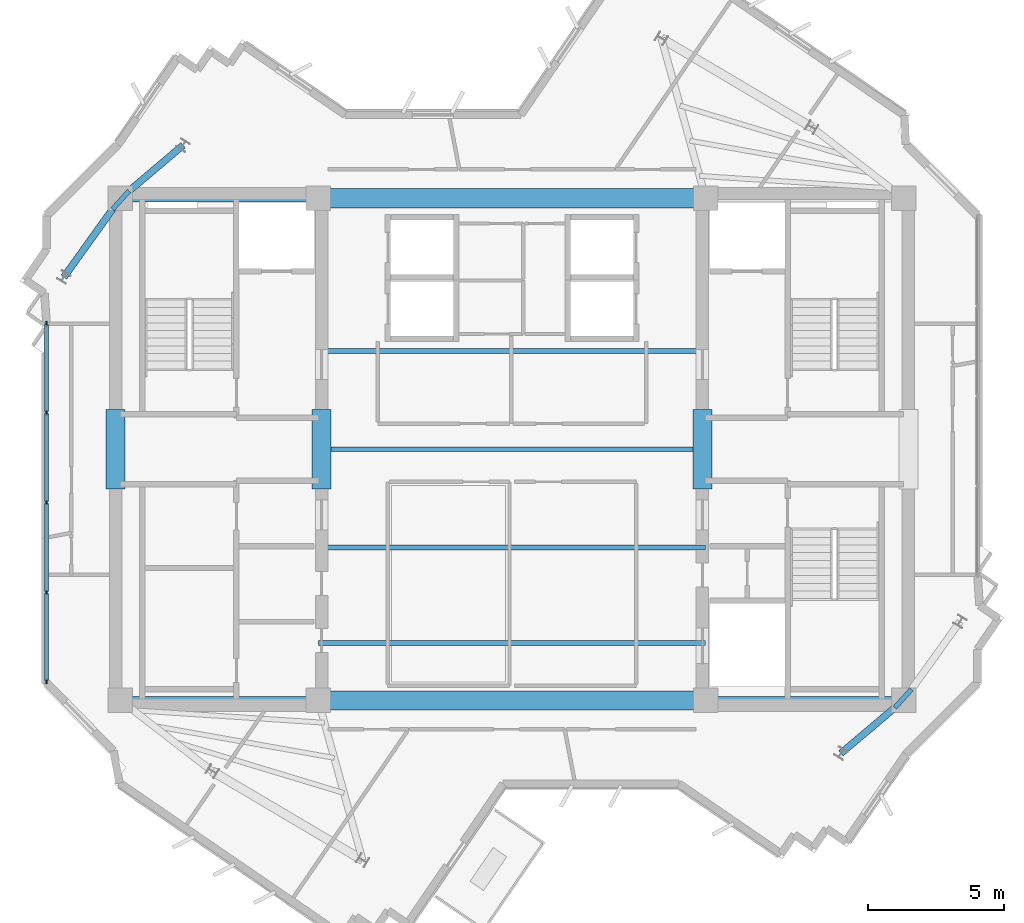
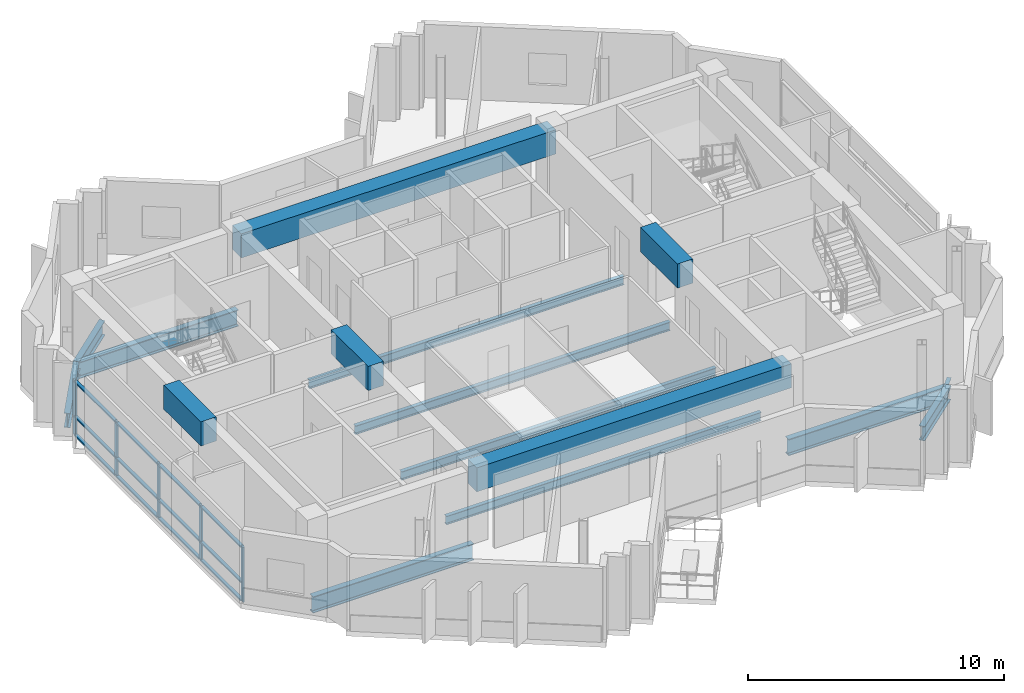
# One storey, part 2 of 11: 17 beams, 17 members, 1 element without a shape of its own.
"""IFC4 building model written with IfcOpenShell, lengths in metres."""

from ifc_helpers import new_model, si_unit, direction, frame, origin, origin_2d, place, context, subcontext, project, spatial, rectangle, i_section, extrude, source, transform, mapped, material, layer, layer_set, material_profile, profile_set, type_object, element, aggregate, save


model = new_model("IFC4")

# Units and contexts
model_context = context("Model", 3, precision=1e-05, world=origin(), true_north=direction((0.0, 1.0)))
body_context = subcontext(model_context, "Body", "Model", "MODEL_VIEW")
ifc_project = project(units=[si_unit("LENGTHUNIT", "METRE"), si_unit("AREAUNIT", "SQUARE_METRE"), si_unit("VOLUMEUNIT", "CUBIC_METRE"), si_unit("PLANEANGLEUNIT", "RADIAN"), si_unit("MASSUNIT", "GRAM", prefix="KILO")], contexts=[model_context])

# Site, building, storey
site_placement = place(None, origin())
site = spatial("IfcSite", under=ifc_project, at=site_placement, CompositionType="ELEMENT")
building_placement = place(site_placement, origin())
building = spatial("IfcBuilding", under=site, at=building_placement, Name="Zahravan Cultural Tower", CompositionType="ELEMENT")
storey_placement = place(building_placement, frame((0.0, 0.0, 331.050048828125)))
storey = spatial("IfcBuildingStorey", under=building, at=storey_placement, Name="L80", CompositionType="ELEMENT", Elevation=331.050048828125)

# Beams
ifc_material_1 = material(Name="Concrete C50/60", Category="concrete")
ifc_material_profile_1 = material_profile(ifc_material_1, rectangle(XDim=0.699951171875, YDim=1.14990234375, at=origin_2d()), Name="RC700X1150")
ifc_profile_set_1 = profile_set([ifc_material_profile_1], Name="Concrete C50/60")
beam_type_1 = type_object("IfcBeamType", Name="BM-LN-RC700X1150", PredefinedType="LINTEL", material=ifc_profile_set_1)
shared_shape_1 = source(origin(), body_context, "Body", "SweptSolid", [
    extrude(rectangle(XDim=0.699951171875, YDim=1.14990234375, at=origin_2d()), origin(), (0.0, 0.0, 1.0), 14.2001953125),
])
for number, where, z_axis, x_axis, name in (
    (1, (28.89990234375, 17.800048828125, 2.925048828125), (1.0, 0.0, 0.0), (0.0, 1.0, 0.0), "L80 Beam LN-L80-S"),
    (2, (28.89990234375, 36.199951171875, 2.925048828125), (1.0, 0.0, 0.0), (0.0, 1.0, 0.0), "L80 Beam LN-L80-N"),
):
    element("IfcBeam", number, at=place(storey_placement, frame(where, z_axis=z_axis, x_axis=x_axis)), inside=storey, type_object=beam_type_1, Name=name, PredefinedType="LINTEL", context=body_context, shape_type="MappedRepresentation", body=[
        mapped(shared_shape_1, transform((0.0, 0.0, 0.0), x_axis=(1.0, 0.0, 0.0), y_axis=(0.0, 1.0, 0.0), z_axis=(0.0, 0.0, 1.0), scale=1.0)),
    ])
shared_shape_2 = source(origin(), body_context, "Body", "SweptSolid", [
    extrude(rectangle(XDim=0.699951171875, YDim=1.14990234375, at=origin_2d()), origin(), (0.0, 0.0, 1.0), 2.89990234375),
])
for number, where, z_axis, x_axis, name in (
    (3, (21.47509765625, 25.550048828125, 2.925048828125), (0.0, 1.0, 0.0), (-1.0, 0.0, 0.0), "L80 Beam LN-L80-PWW"),
    (4, (29.02490234375, 25.550048828125, 2.925048828125), (0.0, 1.0, 0.0), (-1.0, 0.0, 0.0), "L80 Beam LN-L80-PWE"),
    (5, (42.97509765625, 25.550048828125, 2.925048828125), (0.0, 1.0, 0.0), (-1.0, 0.0, 0.0), "L80 Beam LN-L80-PEW"),
):
    element("IfcBeam", number, at=place(storey_placement, frame(where, z_axis=z_axis, x_axis=x_axis)), inside=storey, type_object=beam_type_1, Name=name, PredefinedType="LINTEL", context=body_context, shape_type="MappedRepresentation", body=[
        mapped(shared_shape_2, transform((0.0, 0.0, 0.0), x_axis=(1.0, 0.0, 0.0), y_axis=(0.0, 1.0, 0.0), z_axis=(0.0, 0.0, 1.0), scale=1.0)),
    ])
ifc_material_2 = material(Name="Steel ASTM A992 Grade 50", Category="steel")
ifc_material_profile_2 = material_profile(ifc_material_2, i_section(OverallWidth=0.26611328125, OverallDepth=0.780029296875, WebThickness=0.0166015625, FlangeThickness=0.030029296875, FilletRadius=0.01904296875, at=origin_2d()), Name="W30X148")
ifc_profile_set_2 = profile_set([ifc_material_profile_2], Name="Steel ASTM A992 Grade 50")
beam_type_2 = type_object("IfcBeamType", Name="BM-G-W30X148", PredefinedType="BEAM", material=ifc_profile_set_2)
shared_shape_3 = source(origin(), body_context, "Body", "SweptSolid", [
    extrude(i_section(OverallWidth=0.26611328125, OverallDepth=0.780029296875, WebThickness=0.0166015625, FlangeThickness=0.030029296875, FilletRadius=0.01904296875, at=origin_2d()), origin(), (0.0, 0.0, 1.0), 7.25),
])
for number, where, z_axis, x_axis, name in (
    (6, (21.64990234375, 17.800048828125, -0.64013671875), (1.0, 0.0, 0.0), (0.0, 1.0, 0.0), "L80 Beam BG-L80-01"),
    (7, (21.64990234375, 36.199951171875, -0.64013671875), (1.0, 0.0, 0.0), (0.0, 1.0, 0.0), "L80 Beam BG-L80-02"),
    (8, (43.10009765625, 17.800048828125, -0.64013671875), (1.0, 0.0, 0.0), (0.0, 1.0, 0.0), "L80 Beam BG-L80-04"),
):
    element("IfcBeam", number, at=place(storey_placement, frame(where, z_axis=z_axis, x_axis=x_axis)), inside=storey, type_object=beam_type_2, Name=name, PredefinedType="BEAM", context=body_context, shape_type="MappedRepresentation", body=[
        mapped(shared_shape_3, transform((0.0, 0.0, 0.0), x_axis=(1.0, 0.0, 0.0), y_axis=(0.0, 1.0, 0.0), z_axis=(0.0, 0.0, 1.0), scale=1.0)),
    ])
ifc_material_profile_3 = material_profile(ifc_material_2, i_section(OverallWidth=0.177978515625, OverallDepth=0.406005859375, WebThickness=0.0078125, FlangeThickness=0.0126953125, FilletRadius=0.011962890625, at=origin_2d()), Name="W16X40")
ifc_profile_set_3 = profile_set([ifc_material_profile_3], Name="Steel ASTM A992 Grade 50")
beam_type_3 = type_object("IfcBeamType", Name="BM-J-W16X40", PredefinedType="JOIST", material=ifc_profile_set_3)
shared_shape_4 = source(origin(), body_context, "Body", "SweptSolid", [
    extrude(i_section(OverallWidth=0.177978515625, OverallDepth=0.406005859375, WebThickness=0.0078125, FlangeThickness=0.0126953125, FilletRadius=0.011962890625, at=origin_2d()), origin(), (0.0, 0.0, 1.0), 14.2001953125),
])
for number, where, z_axis, x_axis, name in (
    (9, (28.89990234375, 19.89990234375, -0.453125), (1.0, 0.0, 0.0), (0.0, 1.0, 0.0), "L80 Beam BJ-L80-20"),
    (10, (28.89990234375, 23.39990234375, -0.453125), (1.0, 0.0, 0.0), (0.0, 1.0, 0.0), "L80 Beam BJ-L80-21"),
    (11, (28.89990234375, 27.0, -0.453125), (1.0, 0.0, 0.0), (0.0, 1.0, 0.0), "L80 Beam BJ-L80-22"),
    (12, (28.89990234375, 30.60009765625, -0.453125), (1.0, 0.0, 0.0), (0.0, 1.0, 0.0), "L80 Beam BJ-L80-23"),
):
    element("IfcBeam", number, at=place(storey_placement, frame(where, z_axis=z_axis, x_axis=x_axis)), inside=storey, type_object=beam_type_3, Name=name, PredefinedType="JOIST", context=body_context, shape_type="MappedRepresentation", body=[
        mapped(shared_shape_4, transform((0.0, 0.0, 0.0), x_axis=(1.0, 0.0, 0.0), y_axis=(0.0, 1.0, 0.0), z_axis=(0.0, 0.0, 1.0), scale=1.0)),
    ])
shared_shape_5 = source(origin(), body_context, "Body", "SweptSolid", [
    extrude(i_section(OverallWidth=0.177978515625, OverallDepth=0.406005859375, WebThickness=0.0078125, FlangeThickness=0.0126953125, FilletRadius=0.011962890625, at=origin_2d()), origin(), (0.0, 0.0, 1.0), 0.91162109375),
])
for number, where, z_axis, x_axis, name in (
    (13, (50.02880859375, 17.5283203125, -0.453125), (0.670590689022, 0.741827559341, 0.0), (-0.741827559341, 0.670590689022, 0.0), "L80 Beam BJ-L80-32"),
    (14, (21.97119140625, 36.4716796875, -0.453125), (-0.670590689022, -0.741827559341, 0.0), (0.741827559341, -0.670590689022, 0.0), "L80 Beam BJ-L80-48"),
):
    element("IfcBeam", number, at=place(storey_placement, frame(where, z_axis=z_axis, x_axis=x_axis)), inside=storey, type_object=beam_type_3, Name=name, PredefinedType="JOIST", context=body_context, shape_type="MappedRepresentation", body=[
        mapped(shared_shape_5, transform((0.0, 0.0, 0.0), x_axis=(1.0, 0.0, 0.0), y_axis=(0.0, 1.0, 0.0), z_axis=(0.0, 0.0, 1.0), scale=1.0)),
    ])
ifc_material_profile_4 = material_profile(ifc_material_2, i_section(OverallWidth=0.25390625, OverallDepth=0.68798828125, WebThickness=0.01318359375, FlangeThickness=0.02099609375, FilletRadius=0.01806640625, at=origin_2d()), Name="W27X102")
ifc_profile_set_4 = profile_set([ifc_material_profile_4], Name="Steel ASTM A992 Grade 50")
beam_type_4 = type_object("IfcBeamType", Name="BM-G-W27X102", PredefinedType="BEAM", material=ifc_profile_set_4)
shared_shape_6 = source(origin(), body_context, "Body", "SweptSolid", [
    extrude(i_section(OverallWidth=0.25390625, OverallDepth=0.68798828125, WebThickness=0.01318359375, FlangeThickness=0.02099609375, FilletRadius=0.01806640625, at=origin_2d()), origin(), (0.0, 0.0, 1.0), 3.00537109375),
])
for number, where, z_axis, x_axis, name in (
    (15, (50.35009765625, 17.800048828125, -0.593994140625), (-0.763546494847, -0.645752855361, 0.0), (0.645752855361, -0.763546494847, 0.0), "L80 Beam BG-L80-09"),
    (16, (21.64990234375, 36.199951171875, -0.593994140625), (0.763546494847, 0.645752855361, 0.0), (-0.645752855361, 0.763546494847, 0.0), "L80 Beam BG-L80-13"),
):
    element("IfcBeam", number, at=place(storey_placement, frame(where, z_axis=z_axis, x_axis=x_axis)), inside=storey, type_object=beam_type_4, Name=name, PredefinedType="BEAM", context=body_context, shape_type="MappedRepresentation", body=[
        mapped(shared_shape_6, transform((0.0, 0.0, 0.0), x_axis=(1.0, 0.0, 0.0), y_axis=(0.0, 1.0, 0.0), z_axis=(0.0, 0.0, 1.0), scale=1.0)),
    ])
shared_shape_7 = source(origin(), body_context, "Body", "SweptSolid", [
    extrude(i_section(OverallWidth=0.25390625, OverallDepth=0.68798828125, WebThickness=0.01318359375, FlangeThickness=0.02099609375, FilletRadius=0.01806640625, at=origin_2d()), origin(), (0.0, 0.0, 1.0), 3.5556640625),
])
beam_placement = place(storey_placement, frame((21.64990234375, 36.199951171875, -0.593994140625), z_axis=(-0.58288028137, -0.812558045674, 0.0), x_axis=(0.812558045674, -0.58288028137, 0.0)))
element("IfcBeam", 17, at=beam_placement, inside=storey, type_object=beam_type_4, Name="L80 Beam BG-L80-14", PredefinedType="BEAM", context=body_context, shape_type="MappedRepresentation", body=[
    mapped(shared_shape_7, transform((0.0, 0.0, 0.0), x_axis=(1.0, 0.0, 0.0), y_axis=(0.0, 1.0, 0.0), z_axis=(0.0, 0.0, 1.0), scale=1.0)),
])

# Curtain wall, members
ifc_material_3 = material(Name="Anodised bronze-aluminium mullion", Category="aluminium")
ifc_layer = layer(ifc_material_3, 0.179931640625)
ifc_layer_set = layer_set([ifc_layer], Name="Anodised bronze-aluminium mullion")
curtain_wall_type = type_object("IfcCurtainWallType", Name="CW-SYS-3", PredefinedType="USERDEFINED", material=ifc_layer_set)
curtain_wall_placement = place(storey_placement, origin())
curtain_wall = element("IfcCurtainWall", 18, at=curtain_wall_placement, inside=storey, type_object=curtain_wall_type, Name="L80 Recessed Curtain Wall CW-3.1", ObjectType="RECESSED GLAZING", PredefinedType="USERDEFINED")
ifc_material_profile_5 = material_profile(ifc_material_3, rectangle(XDim=0.070068359375, YDim=0.179931640625, at=origin_2d()), Name="AL-M70X180")
ifc_profile_set_5 = profile_set([ifc_material_profile_5], Name="Anodised bronze-aluminium mullion")
member_type_1 = type_object("IfcMemberType", Name="CWM-CW-3", PredefinedType="MULLION", material=ifc_profile_set_5)
shared_shape_8 = source(origin(), body_context, "Body", "SweptSolid", [
    extrude(rectangle(XDim=0.070068359375, YDim=0.179931640625, at=origin_2d()), origin(), (0.0, 0.0, 1.0), 2.619873046875),
])
member_1_placement = place(storey_placement, frame((18.93994140625, 18.492919921875, 0.0), z_axis=(0.0, 0.0, 1.0), x_axis=(-1.0, 0.0, 0.0)))
member_1 = element("IfcMember", 19, at=member_1_placement, type_object=member_type_1, Name="CW-3 mullion 1", PredefinedType="MULLION", context=body_context, shape_type="MappedRepresentation", body=[
    mapped(shared_shape_8, transform((0.0, 0.0, 0.0), x_axis=(1.0, 0.0, 0.0), y_axis=(0.0, 1.0, 0.0), z_axis=(0.0, 0.0, 1.0), scale=1.0)),
])
member_2_placement = place(storey_placement, frame((18.93994140625, 21.75341796875, 0.0), z_axis=(0.0, 0.0, 1.0), x_axis=(-1.0, 0.0, 0.0)))
member_2 = element("IfcMember", 20, at=member_2_placement, type_object=member_type_1, Name="CW-3 mullion 2", PredefinedType="MULLION", context=body_context, shape_type="MappedRepresentation", body=[
    mapped(shared_shape_8, transform((0.0, 0.0, 0.0), x_axis=(1.0, 0.0, 0.0), y_axis=(0.0, 1.0, 0.0), z_axis=(0.0, 0.0, 1.0), scale=1.0)),
])
member_3_placement = place(storey_placement, frame((18.93994140625, 25.048828125, 0.0), z_axis=(0.0, 0.0, 1.0), x_axis=(-1.0, 0.0, 0.0)))
member_3 = element("IfcMember", 21, at=member_3_placement, type_object=member_type_1, Name="CW-3 mullion 3", PredefinedType="MULLION", context=body_context, shape_type="MappedRepresentation", body=[
    mapped(shared_shape_8, transform((0.0, 0.0, 0.0), x_axis=(1.0, 0.0, 0.0), y_axis=(0.0, 1.0, 0.0), z_axis=(0.0, 0.0, 1.0), scale=1.0)),
])
member_4_placement = place(storey_placement, frame((18.93994140625, 28.34423828125, 0.0), z_axis=(0.0, 0.0, 1.0), x_axis=(-1.0, 0.0, 0.0)))
member_4 = element("IfcMember", 22, at=member_4_placement, type_object=member_type_1, Name="CW-3 mullion 4", PredefinedType="MULLION", context=body_context, shape_type="MappedRepresentation", body=[
    mapped(shared_shape_8, transform((0.0, 0.0, 0.0), x_axis=(1.0, 0.0, 0.0), y_axis=(0.0, 1.0, 0.0), z_axis=(0.0, 0.0, 1.0), scale=1.0)),
])
member_5_placement = place(storey_placement, frame((18.93994140625, 31.604736328125, 0.0), z_axis=(0.0, 0.0, 1.0), x_axis=(-1.0, 0.0, 0.0)))
member_5 = element("IfcMember", 23, at=member_5_placement, type_object=member_type_1, Name="CW-3 mullion 5", PredefinedType="MULLION", context=body_context, shape_type="MappedRepresentation", body=[
    mapped(shared_shape_8, transform((0.0, 0.0, 0.0), x_axis=(1.0, 0.0, 0.0), y_axis=(0.0, 1.0, 0.0), z_axis=(0.0, 0.0, 1.0), scale=1.0)),
])
ifc_material_profile_6 = material_profile(ifc_material_3, rectangle(XDim=0.139892578125, YDim=0.070068359375, at=origin_2d()), Name="AL-T70X140")
ifc_profile_set_6 = profile_set([ifc_material_profile_6], Name="Anodised bronze-aluminium mullion")
member_type_2 = type_object("IfcMemberType", Name="CWT-CW-3", PredefinedType="USERDEFINED", material=ifc_profile_set_6)
shared_shape_9 = source(origin(), body_context, "Body", "SweptSolid", [
    extrude(rectangle(XDim=0.139892578125, YDim=0.070068359375, at=origin_2d()), origin(), (0.0, 0.0, 1.0), 3.1904296875),
])
member_6_placement = place(storey_placement, frame((18.93994140625, 18.528076171875, 0.034912109375), z_axis=(0.0, 1.0, 0.0), x_axis=(-1.0, 0.0, 0.0)))
member_6 = element("IfcMember", 24, at=member_6_placement, type_object=member_type_2, Name="CW-3 transom 1.1", ObjectType="TRANSOM", PredefinedType="USERDEFINED", context=body_context, shape_type="MappedRepresentation", body=[
    mapped(shared_shape_9, transform((0.0, 0.0, 0.0), x_axis=(1.0, 0.0, 0.0), y_axis=(0.0, 1.0, 0.0), z_axis=(0.0, 0.0, 1.0), scale=1.0)),
])
member_7_placement = place(storey_placement, frame((18.93994140625, 18.528076171875, 0.89990234375), z_axis=(0.0, 1.0, 0.0), x_axis=(-1.0, 0.0, 0.0)))
member_7 = element("IfcMember", 25, at=member_7_placement, type_object=member_type_2, Name="CW-3 transom 1.2", ObjectType="TRANSOM", PredefinedType="USERDEFINED", context=body_context, shape_type="MappedRepresentation", body=[
    mapped(shared_shape_9, transform((0.0, 0.0, 0.0), x_axis=(1.0, 0.0, 0.0), y_axis=(0.0, 1.0, 0.0), z_axis=(0.0, 0.0, 1.0), scale=1.0)),
])
member_8_placement = place(storey_placement, frame((18.93994140625, 18.528076171875, 2.5849609375), z_axis=(0.0, 1.0, 0.0), x_axis=(-1.0, 0.0, 0.0)))
member_8 = element("IfcMember", 26, at=member_8_placement, type_object=member_type_2, Name="CW-3 transom 1.3", ObjectType="TRANSOM", PredefinedType="USERDEFINED", context=body_context, shape_type="MappedRepresentation", body=[
    mapped(shared_shape_9, transform((0.0, 0.0, 0.0), x_axis=(1.0, 0.0, 0.0), y_axis=(0.0, 1.0, 0.0), z_axis=(0.0, 0.0, 1.0), scale=1.0)),
])
member_9_placement = place(storey_placement, frame((18.93994140625, 28.37939453125, 0.034912109375), z_axis=(0.0, 1.0, 0.0), x_axis=(-1.0, 0.0, 0.0)))
member_9 = element("IfcMember", 27, at=member_9_placement, type_object=member_type_2, Name="CW-3 transom 4.1", ObjectType="TRANSOM", PredefinedType="USERDEFINED", context=body_context, shape_type="MappedRepresentation", body=[
    mapped(shared_shape_9, transform((0.0, 0.0, 0.0), x_axis=(1.0, 0.0, 0.0), y_axis=(0.0, 1.0, 0.0), z_axis=(0.0, 0.0, 1.0), scale=1.0)),
])
member_10_placement = place(storey_placement, frame((18.93994140625, 28.37939453125, 0.89990234375), z_axis=(0.0, 1.0, 0.0), x_axis=(-1.0, 0.0, 0.0)))
member_10 = element("IfcMember", 28, at=member_10_placement, type_object=member_type_2, Name="CW-3 transom 4.2", ObjectType="TRANSOM", PredefinedType="USERDEFINED", context=body_context, shape_type="MappedRepresentation", body=[
    mapped(shared_shape_9, transform((0.0, 0.0, 0.0), x_axis=(1.0, 0.0, 0.0), y_axis=(0.0, 1.0, 0.0), z_axis=(0.0, 0.0, 1.0), scale=1.0)),
])
member_11_placement = place(storey_placement, frame((18.93994140625, 28.37939453125, 2.5849609375), z_axis=(0.0, 1.0, 0.0), x_axis=(-1.0, 0.0, 0.0)))
member_11 = element("IfcMember", 29, at=member_11_placement, type_object=member_type_2, Name="CW-3 transom 4.3", ObjectType="TRANSOM", PredefinedType="USERDEFINED", context=body_context, shape_type="MappedRepresentation", body=[
    mapped(shared_shape_9, transform((0.0, 0.0, 0.0), x_axis=(1.0, 0.0, 0.0), y_axis=(0.0, 1.0, 0.0), z_axis=(0.0, 0.0, 1.0), scale=1.0)),
])
shared_shape_10 = source(origin(), body_context, "Body", "SweptSolid", [
    extrude(rectangle(XDim=0.139892578125, YDim=0.070068359375, at=origin_2d()), origin(), (0.0, 0.0, 1.0), 3.2255859375),
])
member_12_placement = place(storey_placement, frame((18.93994140625, 21.788330078125, 0.034912109375), z_axis=(0.0, 1.0, 0.0), x_axis=(-1.0, 0.0, 0.0)))
member_12 = element("IfcMember", 30, at=member_12_placement, type_object=member_type_2, Name="CW-3 transom 2.1", ObjectType="TRANSOM", PredefinedType="USERDEFINED", context=body_context, shape_type="MappedRepresentation", body=[
    mapped(shared_shape_10, transform((0.0, 0.0, 0.0), x_axis=(1.0, 0.0, 0.0), y_axis=(0.0, 1.0, 0.0), z_axis=(0.0, 0.0, 1.0), scale=1.0)),
])
member_13_placement = place(storey_placement, frame((18.93994140625, 21.788330078125, 0.89990234375), z_axis=(0.0, 1.0, 0.0), x_axis=(-1.0, 0.0, 0.0)))
member_13 = element("IfcMember", 31, at=member_13_placement, type_object=member_type_2, Name="CW-3 transom 2.2", ObjectType="TRANSOM", PredefinedType="USERDEFINED", context=body_context, shape_type="MappedRepresentation", body=[
    mapped(shared_shape_10, transform((0.0, 0.0, 0.0), x_axis=(1.0, 0.0, 0.0), y_axis=(0.0, 1.0, 0.0), z_axis=(0.0, 0.0, 1.0), scale=1.0)),
])
member_14_placement = place(storey_placement, frame((18.93994140625, 21.788330078125, 2.5849609375), z_axis=(0.0, 1.0, 0.0), x_axis=(-1.0, 0.0, 0.0)))
member_14 = element("IfcMember", 32, at=member_14_placement, type_object=member_type_2, Name="CW-3 transom 2.3", ObjectType="TRANSOM", PredefinedType="USERDEFINED", context=body_context, shape_type="MappedRepresentation", body=[
    mapped(shared_shape_10, transform((0.0, 0.0, 0.0), x_axis=(1.0, 0.0, 0.0), y_axis=(0.0, 1.0, 0.0), z_axis=(0.0, 0.0, 1.0), scale=1.0)),
])
shared_shape_11 = source(origin(), body_context, "Body", "SweptSolid", [
    extrude(rectangle(XDim=0.139892578125, YDim=0.070068359375, at=origin_2d()), origin(), (0.0, 0.0, 1.0), 3.225341796875),
])
member_15_placement = place(storey_placement, frame((18.93994140625, 25.083984375, 0.034912109375), z_axis=(0.0, 1.0, 0.0), x_axis=(-1.0, 0.0, 0.0)))
member_15 = element("IfcMember", 33, at=member_15_placement, type_object=member_type_2, Name="CW-3 transom 3.1", ObjectType="TRANSOM", PredefinedType="USERDEFINED", context=body_context, shape_type="MappedRepresentation", body=[
    mapped(shared_shape_11, transform((0.0, 0.0, 0.0), x_axis=(1.0, 0.0, 0.0), y_axis=(0.0, 1.0, 0.0), z_axis=(0.0, 0.0, 1.0), scale=1.0)),
])
member_16_placement = place(storey_placement, frame((18.93994140625, 25.083984375, 0.89990234375), z_axis=(0.0, 1.0, 0.0), x_axis=(-1.0, 0.0, 0.0)))
member_16 = element("IfcMember", 34, at=member_16_placement, type_object=member_type_2, Name="CW-3 transom 3.2", ObjectType="TRANSOM", PredefinedType="USERDEFINED", context=body_context, shape_type="MappedRepresentation", body=[
    mapped(shared_shape_11, transform((0.0, 0.0, 0.0), x_axis=(1.0, 0.0, 0.0), y_axis=(0.0, 1.0, 0.0), z_axis=(0.0, 0.0, 1.0), scale=1.0)),
])
member_17_placement = place(storey_placement, frame((18.93994140625, 25.083984375, 2.5849609375), z_axis=(0.0, 1.0, 0.0), x_axis=(-1.0, 0.0, 0.0)))
member_17 = element("IfcMember", 35, at=member_17_placement, type_object=member_type_2, Name="CW-3 transom 3.3", ObjectType="TRANSOM", PredefinedType="USERDEFINED", context=body_context, shape_type="MappedRepresentation", body=[
    mapped(shared_shape_11, transform((0.0, 0.0, 0.0), x_axis=(1.0, 0.0, 0.0), y_axis=(0.0, 1.0, 0.0), z_axis=(0.0, 0.0, 1.0), scale=1.0)),
])
aggregate(curtain_wall, [member_1, member_2, member_3, member_4, member_5, member_6, member_7, member_8, member_12, member_13, member_14, member_15, member_16, member_17, member_9, member_10, member_11])

save(model, "model.ifc")
